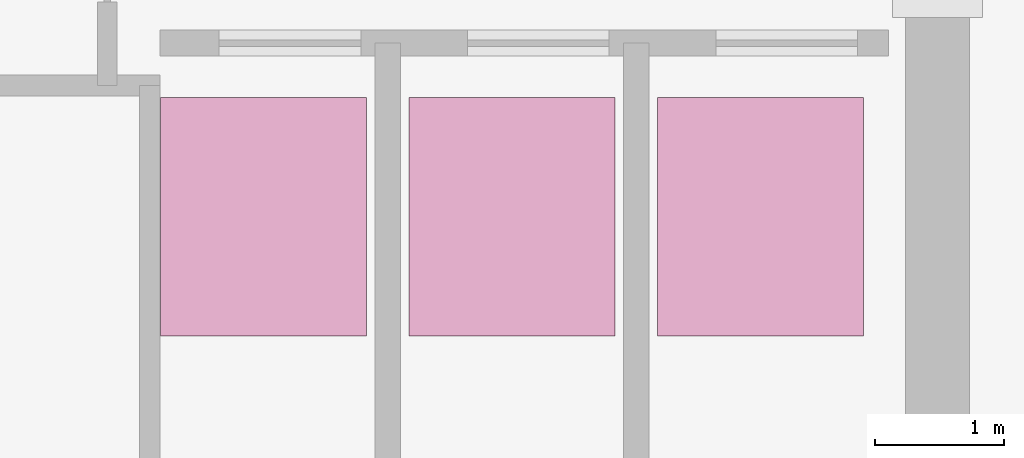
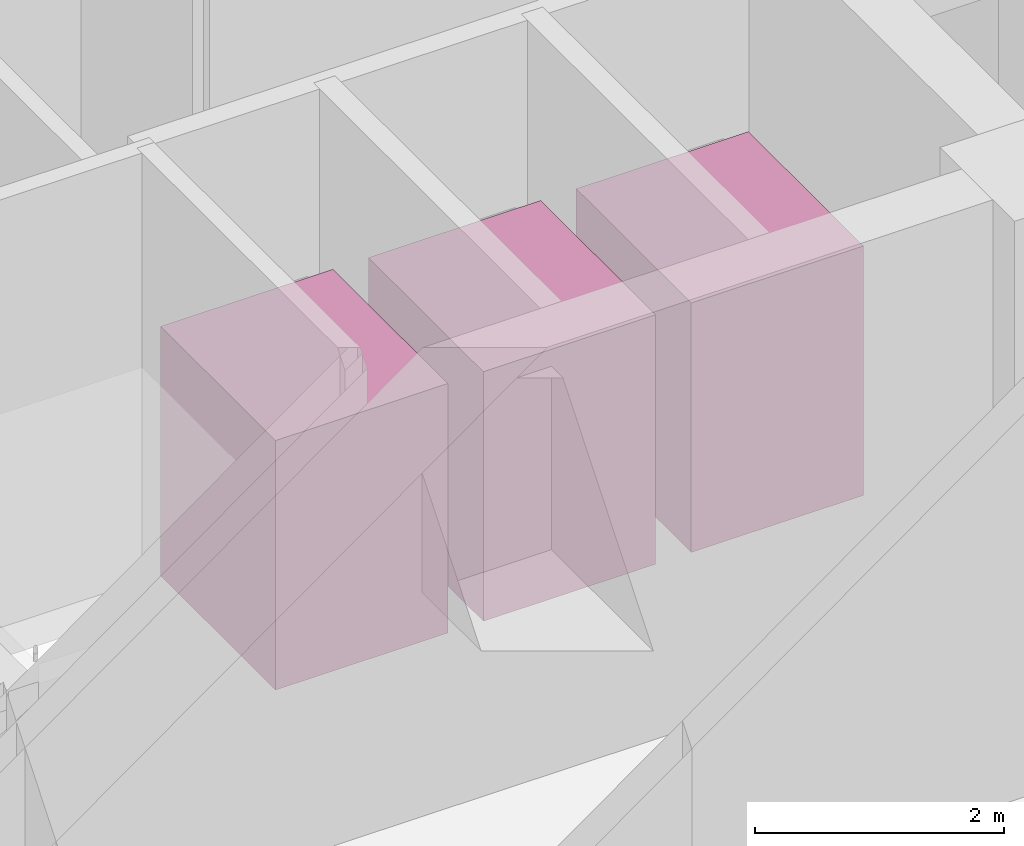
# One storey, part 33 of 33: 3 transport elements.
"""IFC4 building model written with IfcOpenShell, lengths in metres."""

from ifc_helpers import new_model, si_unit, direction, frame, origin, place, context, subcontext, project, spatial, polyline, outline, extrude, material, type_object, element, save


model = new_model("IFC4")

# Units and contexts
model_context = context("Model", 3, precision=1e-05, world=origin(), true_north=direction((0.0, 1.0)))
body_context = subcontext(model_context, "Body", "Model", "MODEL_VIEW")
ifc_project = project(units=[si_unit("LENGTHUNIT", "METRE"), si_unit("AREAUNIT", "SQUARE_METRE"), si_unit("VOLUMEUNIT", "CUBIC_METRE"), si_unit("PLANEANGLEUNIT", "RADIAN"), si_unit("MASSUNIT", "GRAM", prefix="KILO")], contexts=[model_context])

# Site, building, storey
site_placement = place(None, origin())
site = spatial("IfcSite", under=ifc_project, at=site_placement, CompositionType="ELEMENT")
building_placement = place(site_placement, origin())
building = spatial("IfcBuilding", under=site, at=building_placement, Name="Kolvaren Belvedere", CompositionType="ELEMENT")
storey_placement = place(building_placement, frame((0.0, 0.0, 152.699951171875)))
storey = spatial("IfcBuildingStorey", under=building, at=storey_placement, Name="L44", CompositionType="ELEMENT", Elevation=152.699951171875)

# Transport elements
ifc_material = material(Name="Brushed stainless steel & laminated glass", Category="steel")
transport_element_type = type_object("IfcTransportElementType", Name="LIFT-PASS-MID", PredefinedType="ELEVATOR", material=ifc_material)
transport_element_1_placement = place(storey_placement, origin())
element("IfcTransportElement", 1, at=transport_element_1_placement, inside=storey, type_object=transport_element_type, Name="Passenger Lift P7", PredefinedType="ELEVATOR", context=body_context, shape_type="SweptSolid", body=[
    extrude(outline(polyline([(3.864990234375, -8.02490234375), (5.465087890625, -8.02490234375), (5.465087890625, -6.175048828125), (3.864990234375, -6.175048828125), (3.864990234375, -8.02490234375)])), origin(), (0.0, 0.0, 1.0), 2.449951171875),
])
transport_element_2_placement = place(storey_placement, origin())
element("IfcTransportElement", 2, at=transport_element_2_placement, inside=storey, type_object=transport_element_type, Name="Passenger Lift P8", PredefinedType="ELEVATOR", context=body_context, shape_type="SweptSolid", body=[
    extrude(outline(polyline([(5.794921875, -8.02490234375), (7.39501953125, -8.02490234375), (7.39501953125, -6.175048828125), (5.794921875, -6.175048828125), (5.794921875, -8.02490234375)])), origin(), (0.0, 0.0, 1.0), 2.449951171875),
])
transport_element_3_placement = place(storey_placement, origin())
element("IfcTransportElement", 3, at=transport_element_3_placement, inside=storey, type_object=transport_element_type, Name="Passenger Lift P9", PredefinedType="ELEVATOR", context=body_context, shape_type="SweptSolid", body=[
    extrude(outline(polyline([(7.72509765625, -8.02490234375), (9.324951171875, -8.02490234375), (9.324951171875, -6.175048828125), (7.72509765625, -6.175048828125), (7.72509765625, -8.02490234375)])), origin(), (0.0, 0.0, 1.0), 2.449951171875),
])

save(model, "model.ifc")
